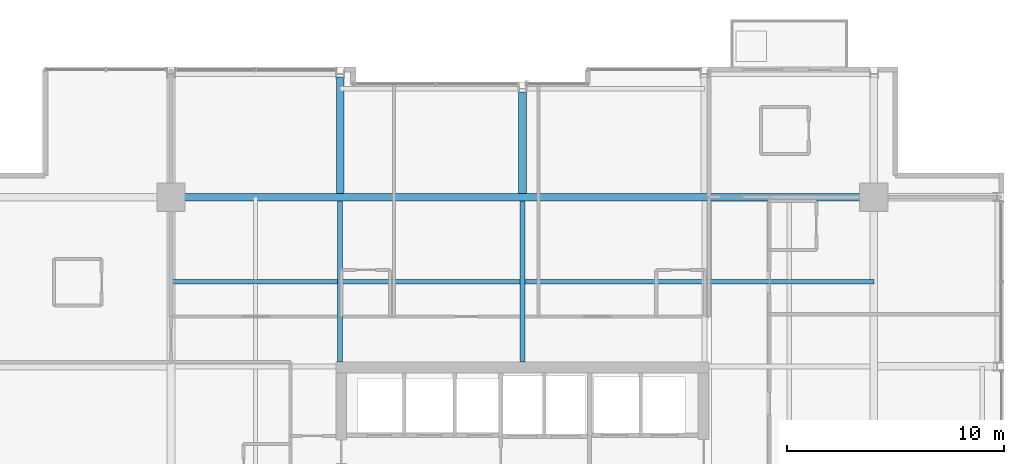
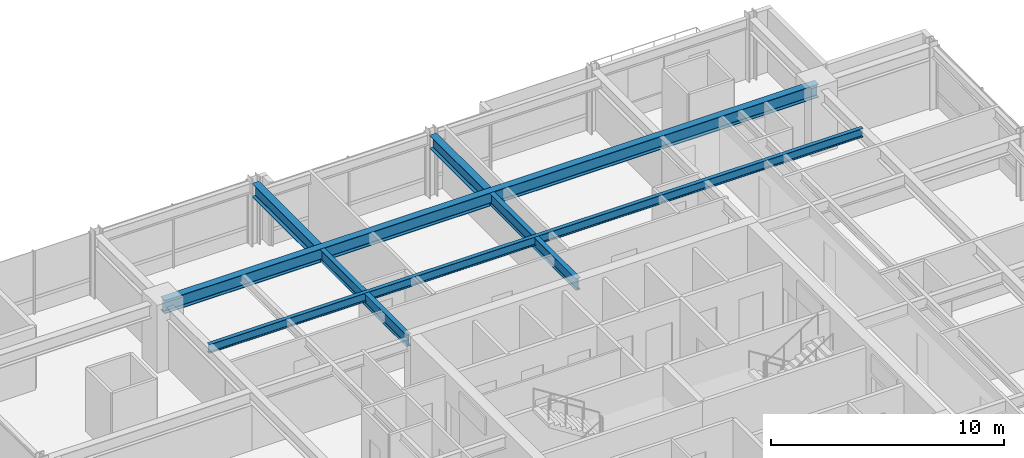
# One storey, part 20 of 34: 6 beams.
"""IFC4 building model written with IfcOpenShell, lengths in metres."""

from ifc_helpers import new_model, si_unit, direction, frame, origin, origin_2d, place, context, subcontext, project, spatial, i_section, extrude, material, material_profile, profile_set, type_object, element, save


model = new_model("IFC4")

# Units and contexts
model_context = context("Model", 3, precision=1e-05, world=origin(), true_north=direction((0.0, 1.0)))
body_context = subcontext(model_context, "Body", "Model", "MODEL_VIEW")
ifc_project = project(units=[si_unit("LENGTHUNIT", "METRE"), si_unit("AREAUNIT", "SQUARE_METRE"), si_unit("VOLUMEUNIT", "CUBIC_METRE"), si_unit("PLANEANGLEUNIT", "RADIAN"), si_unit("MASSUNIT", "GRAM", prefix="KILO")], contexts=[model_context])

# Site, building, storey
site_placement = place(None, origin())
site = spatial("IfcSite", under=ifc_project, at=site_placement, CompositionType="ELEMENT")
building_placement = place(site_placement, origin())
building = spatial("IfcBuilding", under=site, at=building_placement, Name="Drelvath Grand Hotel", CompositionType="ELEMENT")
storey_placement = place(building_placement, frame((0.0, 0.0, 175.25)))
storey = spatial("IfcBuildingStorey", under=building, at=storey_placement, Name="L45", CompositionType="ELEMENT", Elevation=175.25)

# Beams
ifc_material = material(Name="Steel ASTM A992 Gr 50", Category="steel")
ifc_material_profile_1 = material_profile(ifc_material, i_section(OverallWidth=0.19140625, OverallDepth=0.4599609375, WebThickness=0.010009765625, FlangeThickness=0.01611328125, FilletRadius=0.01611328125, at=origin_2d()), Name="W18X55")
ifc_profile_set_1 = profile_set([ifc_material_profile_1], Name="Steel ASTM A992 Gr 50")
beam_type_1 = type_object("IfcBeamType", Name="Composite Floor Joist W18X55", PredefinedType="JOIST", material=ifc_profile_set_1)
beam_1_placement = place(storey_placement, frame((-16.199951171875, 39.300048828125, 3.06005859375), z_axis=(1.0, 0.0, 0.0), x_axis=(0.0, 1.0, 0.0)))
element("IfcBeam", 1, at=beam_1_placement, inside=storey, type_object=beam_type_1, Name="L45 Floor Joist J2", PredefinedType="JOIST", context=body_context, shape_type="SweptSolid", body=[
    extrude(i_section(OverallWidth=0.19140625, OverallDepth=0.4599609375, WebThickness=0.010009765625, FlangeThickness=0.01611328125, FilletRadius=0.01611328125, at=origin_2d()), origin(), (0.0, 0.0, 1.0), 32.39990234375),
])
ifc_material_profile_2 = material_profile(ifc_material, i_section(OverallWidth=0.228271484375, OverallDepth=0.607666015625, WebThickness=0.01123046875, FlangeThickness=0.017333984375, FilletRadius=0.02001953125, at=origin_2d()), Name="W24X76")
ifc_profile_set_2 = profile_set([ifc_material_profile_2], Name="Steel ASTM A992 Gr 50")
beam_type_2 = type_object("IfcBeamType", Name="Primary Floor Girder W24X76", PredefinedType="BEAM", material=ifc_profile_set_2)
for number, where, z_axis, x_axis, name in (
    (2, (-8.39990234375, 35.60009765625, 2.986083984375), (0.0, 1.0, 0.0), (-1.0, 0.0, 0.0), "L45 North Core Tie 4"),
    (3, (0.0, 35.60009765625, 2.986083984375), (0.0, 1.0, 0.0), (-1.0, 0.0, 0.0), "L45 North Core Tie 5"),
):
    element("IfcBeam", number, at=place(storey_placement, frame(where, z_axis=z_axis, x_axis=x_axis)), inside=storey, type_object=beam_type_2, Name=name, PredefinedType="BEAM", context=body_context, shape_type="SweptSolid", body=[
        extrude(i_section(OverallWidth=0.228271484375, OverallDepth=0.607666015625, WebThickness=0.01123046875, FlangeThickness=0.017333984375, FilletRadius=0.02001953125, at=origin_2d()), origin(), (0.0, 0.0, 1.0), 7.422607421875),
    ])
ifc_material_profile_3 = material_profile(ifc_material, i_section(OverallWidth=0.354736328125, OverallDepth=0.695556640625, WebThickness=0.015380859375, FlangeThickness=0.025146484375, FilletRadius=0.02392578125, at=origin_2d()), Name="W27X146")
ifc_profile_set_3 = profile_set([ifc_material_profile_3], Name="Steel ASTM A992 Gr 50")
beam_type_3 = type_object("IfcBeamType", Name="Primary Floor Girder W27X146", PredefinedType="BEAM", material=ifc_profile_set_3)
beam_2_placement = place(storey_placement, frame((-16.199951171875, 43.199951171875, 2.9423828125), z_axis=(1.0, 0.0, 0.0), x_axis=(0.0, 1.0, 0.0)))
element("IfcBeam", 4, at=beam_2_placement, inside=storey, type_object=beam_type_3, Name="L45 Mega Ring Girder North", PredefinedType="BEAM", context=body_context, shape_type="SweptSolid", body=[
    extrude(i_section(OverallWidth=0.354736328125, OverallDepth=0.695556640625, WebThickness=0.015380859375, FlangeThickness=0.025146484375, FilletRadius=0.02392578125, at=origin_2d()), origin(), (0.0, 0.0, 1.0), 32.39990234375),
])
beam_3_placement = place(storey_placement, frame((-8.39990234375, 43.37744140625, 2.9423828125), z_axis=(0.0, 1.0, 0.0), x_axis=(-1.0, 0.0, 0.0)))
element("IfcBeam", 5, at=beam_3_placement, inside=storey, type_object=beam_type_3, Name="L45 North Wing Girder 4", PredefinedType="BEAM", context=body_context, shape_type="SweptSolid", body=[
    extrude(i_section(OverallWidth=0.354736328125, OverallDepth=0.695556640625, WebThickness=0.015380859375, FlangeThickness=0.025146484375, FilletRadius=0.02392578125, at=origin_2d()), origin(), (0.0, 0.0, 1.0), 5.362548828125),
])
beam_4_placement = place(storey_placement, frame((0.0, 43.37744140625, 2.9423828125), z_axis=(0.0, 1.0, 0.0), x_axis=(-1.0, 0.0, 0.0)))
element("IfcBeam", 6, at=beam_4_placement, inside=storey, type_object=beam_type_3, Name="L45 North Wing Girder 5", PredefinedType="BEAM", context=body_context, shape_type="SweptSolid", body=[
    extrude(i_section(OverallWidth=0.354736328125, OverallDepth=0.695556640625, WebThickness=0.015380859375, FlangeThickness=0.025146484375, FilletRadius=0.02392578125, at=origin_2d()), origin(), (0.0, 0.0, 1.0), 4.6826171875),
])

save(model, "model.ifc")
